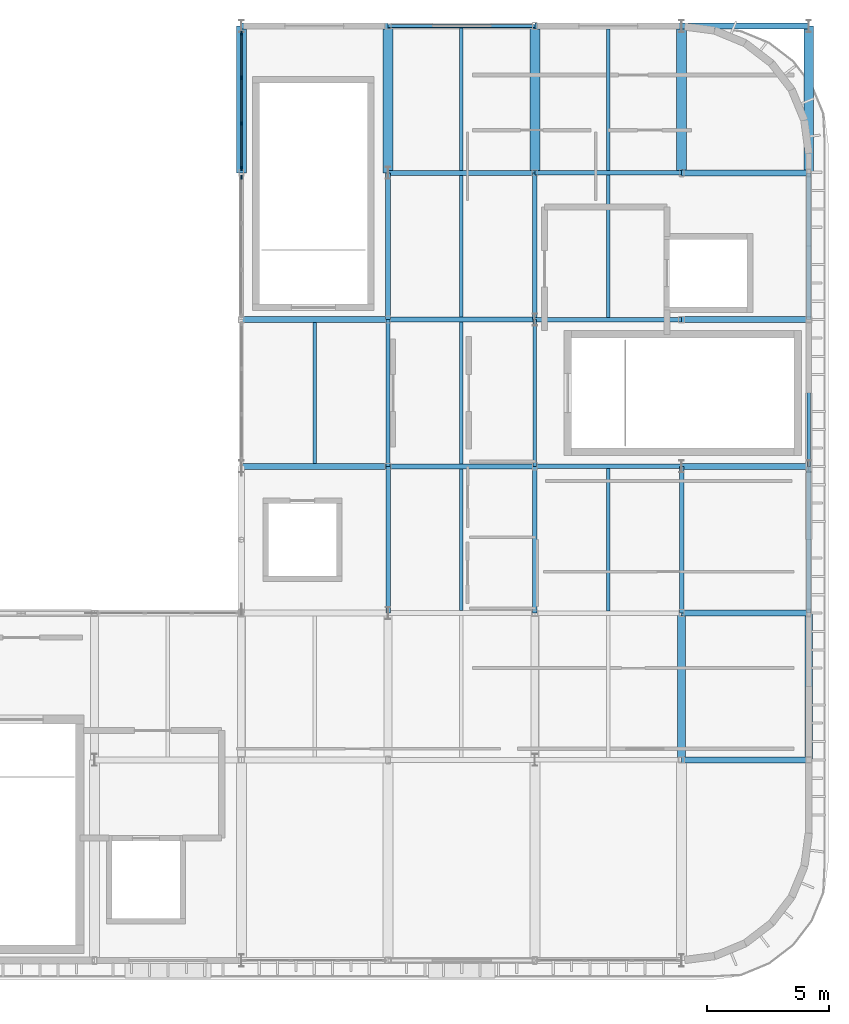
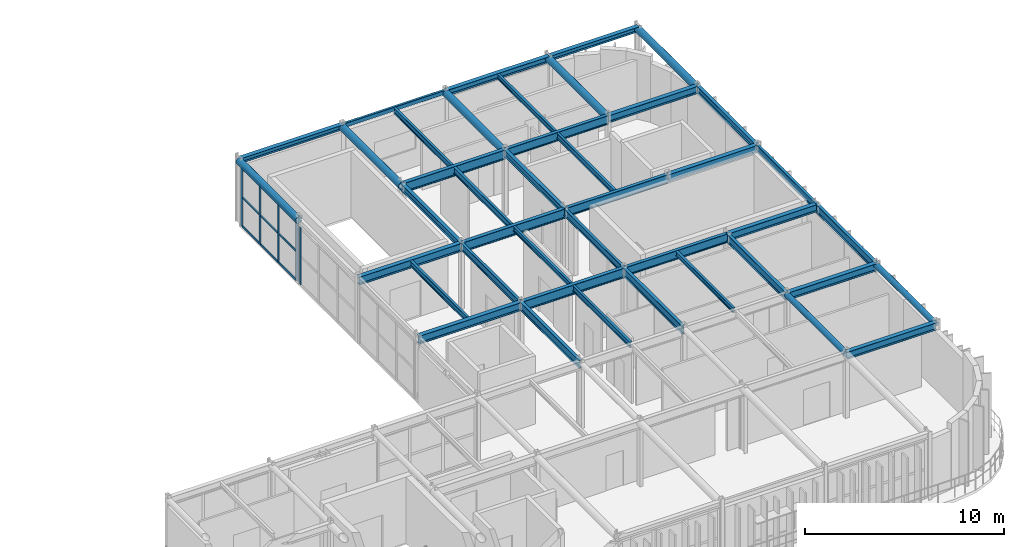
# One storey, part 6 of 14: 42 beams, 14 members, 2 elements without a shape of their own.
"""IFC4 building model written with IfcOpenShell, lengths in metres."""

from ifc_helpers import new_model, si_unit, direction, frame, origin, origin_2d, place, context, subcontext, project, spatial, rectangle, hollow_rectangle, hollow_circle, i_section, extrude, material, material_profile, profile_set, type_object, element, aggregate, save


model = new_model("IFC4")

# Units and contexts
model_context = context("Model", 3, precision=1e-05, world=origin(), true_north=direction((0.0, 1.0)))
body_context = subcontext(model_context, "Body", "Model", "MODEL_VIEW")
ifc_project = project(units=[si_unit("LENGTHUNIT", "METRE"), si_unit("AREAUNIT", "SQUARE_METRE"), si_unit("VOLUMEUNIT", "CUBIC_METRE"), si_unit("PLANEANGLEUNIT", "RADIAN"), si_unit("MASSUNIT", "GRAM", prefix="KILO")], contexts=[model_context])

# Site, building, storey
site_placement = place(None, origin())
site = spatial("IfcSite", under=ifc_project, at=site_placement, CompositionType="ELEMENT")
building_placement = place(site_placement, origin())
building = spatial("IfcBuilding", under=site, at=building_placement, Name="Varnakota Square Police Headquarters", CompositionType="ELEMENT")
storey_placement = place(building_placement, frame((0.0, 0.0, 30.0)))
storey = spatial("IfcBuildingStorey", under=building, at=storey_placement, Name="L07", CompositionType="ELEMENT", Elevation=30.0)

# Beams
ifc_material_1 = material(Name="Steel IS 2062 Grade 350", Category="steel")
ifc_material_profile_1 = material_profile(ifc_material_1, hollow_circle(Radius=0.161865234375, WallThickness=0.0126953125, at=origin_2d()), Name="CHS 323.9x12.7")
ifc_profile_set_1 = profile_set([ifc_material_profile_1], Name="Steel IS 2062 Grade 350")
beam_type_1 = type_object("IfcBeamType", Name="BM-ARC-CHS324", PredefinedType="BEAM", material=ifc_profile_set_1)
for number, where, z_axis, x_axis, name in (
    (1, (156.0, 9.0, 3.878173828125), (0.0, 1.0, 0.0), (-1.0, 0.0, 0.0), "BMG-L07-3446"),
    (2, (161.199951171875, 9.0, 3.878173828125), (0.0, 1.0, 0.0), (-1.0, 0.0, 0.0), "BMG-L07-3449"),
):
    element("IfcBeam", number, at=place(storey_placement, frame(where, z_axis=z_axis, x_axis=x_axis)), inside=storey, type_object=beam_type_1, Name=name, PredefinedType="BEAM", context=body_context, shape_type="SweptSolid", body=[
        extrude(hollow_circle(Radius=0.161865234375, WallThickness=0.0126953125, at=origin_2d()), origin(), (0.0, 0.0, 1.0), 6.0),
    ])
ifc_material_profile_2 = material_profile(ifc_material_1, hollow_circle(Radius=0.203125, WallThickness=0.01611328125, at=origin_2d()), Name="CHS 406.4x16.0")
ifc_profile_set_2 = profile_set([ifc_material_profile_2], Name="Steel IS 2062 Grade 350")
beam_type_2 = type_object("IfcBeamType", Name="BM-ARC-CHS406", PredefinedType="BEAM", material=ifc_profile_set_2)
for number, where, z_axis, x_axis, name in (
    (3, (138.0, 33.0, 3.8369140625), (0.0, 1.0, 0.0), (-1.0, 0.0, 0.0), "BMG-L07-3432"),
    (4, (144.0, 33.0, 3.8369140625), (0.0, 1.0, 0.0), (-1.0, 0.0, 0.0), "BMG-L07-3438"),
    (5, (150.0, 33.0, 3.8369140625), (0.0, 1.0, 0.0), (-1.0, 0.0, 0.0), "BMG-L07-3444"),
    (6, (156.0, 33.0, 3.8369140625), (0.0, 1.0, 0.0), (-1.0, 0.0, 0.0), "BMG-L07-3448"),
    (7, (161.199951171875, 33.0, 3.8369140625), (0.0, 1.0, 0.0), (-1.0, 0.0, 0.0), "BMG-L07-3453"),
):
    element("IfcBeam", number, at=place(storey_placement, frame(where, z_axis=z_axis, x_axis=x_axis)), inside=storey, type_object=beam_type_2, Name=name, PredefinedType="BEAM", context=body_context, shape_type="SweptSolid", body=[
        extrude(hollow_circle(Radius=0.203125, WallThickness=0.01611328125, at=origin_2d()), origin(), (0.0, 0.0, 1.0), 6.0),
    ])
ifc_material_profile_3 = material_profile(ifc_material_1, hollow_rectangle(XDim=0.14990234375, YDim=0.25, WallThickness=0.010009765625, InnerFilletRadius=0.010009765625, OuterFilletRadius=0.02001953125, at=origin_2d()), Name="RHS 250x150x10")
ifc_profile_set_3 = profile_set([ifc_material_profile_3], Name="Steel IS 2062 Grade 350")
beam_type_3 = type_object("IfcBeamType", Name="BM-CBEAM-RHS250", PredefinedType="BEAM", material=ifc_profile_set_3)
beam_1_placement = place(storey_placement, frame((144.0, 39.0, 3.9150390625), z_axis=(1.0, 0.0, 0.0), x_axis=(0.0, 1.0, 0.0)))
element("IfcBeam", 8, at=beam_1_placement, inside=storey, type_object=beam_type_3, Name="BMG-L07-3418", PredefinedType="BEAM", context=body_context, shape_type="SweptSolid", body=[
    extrude(hollow_rectangle(XDim=0.14990234375, YDim=0.25, WallThickness=0.010009765625, InnerFilletRadius=0.010009765625, OuterFilletRadius=0.02001953125, at=origin_2d()), origin(), (0.0, 0.0, 1.0), 6.0),
])
ifc_material_profile_4 = material_profile(ifc_material_1, i_section(OverallWidth=0.25, OverallDepth=0.300048828125, WebThickness=0.009521484375, FlangeThickness=0.010498046875, FilletRadius=0.011962890625, at=origin_2d()), Name="ISHB 300")
ifc_profile_set_4 = profile_set([ifc_material_profile_4], Name="Steel IS 2062 Grade 350")
beam_type_4 = type_object("IfcBeamType", Name="BM-ISHB300", PredefinedType="BEAM", material=ifc_profile_set_4)
beam_2_placement = place(storey_placement, frame((138.0, 39.0, 3.889892578125), z_axis=(1.0, 0.0, 0.0), x_axis=(0.0, 1.0, 0.0)))
element("IfcBeam", 9, at=beam_2_placement, inside=storey, type_object=beam_type_4, Name="BMG-L07-3417", PredefinedType="BEAM", context=body_context, shape_type="SweptSolid", body=[
    extrude(i_section(OverallWidth=0.25, OverallDepth=0.300048828125, WebThickness=0.009521484375, FlangeThickness=0.010498046875, FilletRadius=0.011962890625, at=origin_2d()), origin(), (0.0, 0.0, 1.0), 6.0),
])
beam_3_placement = place(storey_placement, frame((156.0, 39.0, 3.889892578125), z_axis=(1.0, 0.0, 0.0), x_axis=(0.0, 1.0, 0.0)))
element("IfcBeam", 10, at=beam_3_placement, inside=storey, type_object=beam_type_4, Name="BMG-L07-3420", PredefinedType="BEAM", context=body_context, shape_type="SweptSolid", body=[
    extrude(i_section(OverallWidth=0.25, OverallDepth=0.300048828125, WebThickness=0.009521484375, FlangeThickness=0.010498046875, FilletRadius=0.011962890625, at=origin_2d()), origin(), (0.0, 0.0, 1.0), 5.199951171875),
])
ifc_material_profile_5 = material_profile(ifc_material_1, i_section(OverallWidth=0.25, OverallDepth=0.35009765625, WebThickness=0.010009765625, FlangeThickness=0.01171875, FilletRadius=0.011962890625, at=origin_2d()), Name="ISHB 350")
ifc_profile_set_5 = profile_set([ifc_material_profile_5], Name="Steel IS 2062 Grade 350")
beam_type_5 = type_object("IfcBeamType", Name="BM-ISHB350", PredefinedType="BEAM", material=ifc_profile_set_5)
beam_4_placement = place(storey_placement, frame((150.0, 39.0, 3.864990234375), z_axis=(1.0, 0.0, 0.0), x_axis=(0.0, 1.0, 0.0)))
element("IfcBeam", 11, at=beam_4_placement, inside=storey, type_object=beam_type_5, Name="BMG-L07-3419", PredefinedType="BEAM", context=body_context, shape_type="SweptSolid", body=[
    extrude(i_section(OverallWidth=0.25, OverallDepth=0.35009765625, WebThickness=0.010009765625, FlangeThickness=0.01171875, FilletRadius=0.011962890625, at=origin_2d()), origin(), (0.0, 0.0, 1.0), 6.0),
])
ifc_material_profile_6 = material_profile(ifc_material_1, i_section(OverallWidth=0.25, OverallDepth=0.449951171875, WebThickness=0.01123046875, FlangeThickness=0.013671875, FilletRadius=0.014892578125, at=origin_2d()), Name="ISHB 450")
ifc_profile_set_6 = profile_set([ifc_material_profile_6], Name="Steel IS 2062 Grade 350")
beam_type_6 = type_object("IfcBeamType", Name="BM-ISHB450", PredefinedType="BEAM", material=ifc_profile_set_6)
for number, where, z_axis, x_axis, name in (
    (12, (156.0, 9.0, 3.81494140625), (1.0, 0.0, 0.0), (0.0, 1.0, 0.0), "BMG-L07-3398"),
    (13, (156.0, 15.0, 3.81494140625), (1.0, 0.0, 0.0), (0.0, 1.0, 0.0), "BMG-L07-3405"),
    (14, (156.0, 21.0, 3.81494140625), (1.0, 0.0, 0.0), (0.0, 1.0, 0.0), "BMG-L07-3409"),
    (15, (156.0, 27.0, 3.81494140625), (1.0, 0.0, 0.0), (0.0, 1.0, 0.0), "BMG-L07-3413"),
    (16, (156.0, 33.0, 3.81494140625), (1.0, 0.0, 0.0), (0.0, 1.0, 0.0), "BMG-L07-3416"),
):
    element("IfcBeam", number, at=place(storey_placement, frame(where, z_axis=z_axis, x_axis=x_axis)), inside=storey, type_object=beam_type_6, Name=name, PredefinedType="BEAM", context=body_context, shape_type="SweptSolid", body=[
        extrude(i_section(OverallWidth=0.25, OverallDepth=0.449951171875, WebThickness=0.01123046875, FlangeThickness=0.013671875, FilletRadius=0.014892578125, at=origin_2d()), origin(), (0.0, 0.0, 1.0), 5.199951171875),
    ])
ifc_material_profile_7 = material_profile(ifc_material_1, i_section(OverallWidth=0.139892578125, OverallDepth=0.300048828125, WebThickness=0.0078125, FlangeThickness=0.01318359375, FilletRadius=0.013916015625, at=origin_2d()), Name="ISMB 300")
ifc_profile_set_7 = profile_set([ifc_material_profile_7], Name="Steel IS 2062 Grade 350")
beam_type_7 = type_object("IfcBeamType", Name="BM-ISMB300", PredefinedType="JOIST", material=ifc_profile_set_7)
beam_5_placement = place(storey_placement, frame((147.0, 21.10302734375, 3.889892578125), z_axis=(0.0, 1.0, 0.0), x_axis=(-1.0, 0.0, 0.0)))
element("IfcBeam", 17, at=beam_5_placement, inside=storey, type_object=beam_type_7, Name="BMG-L07-3460", PredefinedType="JOIST", context=body_context, shape_type="SweptSolid", body=[
    extrude(i_section(OverallWidth=0.139892578125, OverallDepth=0.300048828125, WebThickness=0.0078125, FlangeThickness=0.01318359375, FilletRadius=0.013916015625, at=origin_2d()), origin(), (0.0, 0.0, 1.0), 5.7939453125),
])
beam_6_placement = place(storey_placement, frame((153.0, 15.093017578125, 3.889892578125), z_axis=(0.0, 1.0, 0.0), x_axis=(-1.0, 0.0, 0.0)))
element("IfcBeam", 18, at=beam_6_placement, inside=storey, type_object=beam_type_7, Name="BMG-L07-3464", PredefinedType="JOIST", context=body_context, shape_type="SweptSolid", body=[
    extrude(i_section(OverallWidth=0.139892578125, OverallDepth=0.300048828125, WebThickness=0.0078125, FlangeThickness=0.01318359375, FilletRadius=0.013916015625, at=origin_2d()), origin(), (0.0, 0.0, 1.0), 5.81396484375),
])
beam_7_placement = place(storey_placement, frame((153.0, 33.093017578125, 3.889892578125), z_axis=(0.0, 1.0, 0.0), x_axis=(-1.0, 0.0, 0.0)))
element("IfcBeam", 19, at=beam_7_placement, inside=storey, type_object=beam_type_7, Name="BMG-L07-3466", PredefinedType="JOIST", context=body_context, shape_type="SweptSolid", body=[
    extrude(i_section(OverallWidth=0.139892578125, OverallDepth=0.300048828125, WebThickness=0.0078125, FlangeThickness=0.01318359375, FilletRadius=0.013916015625, at=origin_2d()), origin(), (0.0, 0.0, 1.0), 5.783935546875),
])
ifc_material_profile_8 = material_profile(ifc_material_1, i_section(OverallWidth=0.139892578125, OverallDepth=0.35009765625, WebThickness=0.008056640625, FlangeThickness=0.01416015625, FilletRadius=0.013916015625, at=origin_2d()), Name="ISMB 350")
ifc_profile_set_8 = profile_set([ifc_material_profile_8], Name="Steel IS 2062 Grade 350")
beam_type_8 = type_object("IfcBeamType", Name="BM-ISMB350", PredefinedType="JOIST", material=ifc_profile_set_8)
beam_8_placement = place(storey_placement, frame((141.0, 21.123046875, 3.864990234375), z_axis=(0.0, 1.0, 0.0), x_axis=(-1.0, 0.0, 0.0)))
element("IfcBeam", 20, at=beam_8_placement, inside=storey, type_object=beam_type_8, Name="BMG-L07-3457", PredefinedType="JOIST", context=body_context, shape_type="SweptSolid", body=[
    extrude(i_section(OverallWidth=0.139892578125, OverallDepth=0.35009765625, WebThickness=0.008056640625, FlangeThickness=0.01416015625, FilletRadius=0.013916015625, at=origin_2d()), origin(), (0.0, 0.0, 1.0), 5.75390625),
])
beam_9_placement = place(storey_placement, frame((147.0, 15.10302734375, 3.864990234375), z_axis=(0.0, 1.0, 0.0), x_axis=(-1.0, 0.0, 0.0)))
element("IfcBeam", 21, at=beam_9_placement, inside=storey, type_object=beam_type_8, Name="BMG-L07-3459", PredefinedType="JOIST", context=body_context, shape_type="SweptSolid", body=[
    extrude(i_section(OverallWidth=0.139892578125, OverallDepth=0.35009765625, WebThickness=0.008056640625, FlangeThickness=0.01416015625, FilletRadius=0.013916015625, at=origin_2d()), origin(), (0.0, 0.0, 1.0), 5.7939453125),
])
beam_10_placement = place(storey_placement, frame((147.0, 33.10302734375, 3.864990234375), z_axis=(0.0, 1.0, 0.0), x_axis=(-1.0, 0.0, 0.0)))
element("IfcBeam", 22, at=beam_10_placement, inside=storey, type_object=beam_type_8, Name="BMG-L07-3462", PredefinedType="JOIST", context=body_context, shape_type="SweptSolid", body=[
    extrude(i_section(OverallWidth=0.139892578125, OverallDepth=0.35009765625, WebThickness=0.008056640625, FlangeThickness=0.01416015625, FilletRadius=0.013916015625, at=origin_2d()), origin(), (0.0, 0.0, 1.0), 5.823974609375),
])
beam_11_placement = place(storey_placement, frame((153.0, 27.093017578125, 3.864990234375), z_axis=(0.0, 1.0, 0.0), x_axis=(-1.0, 0.0, 0.0)))
element("IfcBeam", 23, at=beam_11_placement, inside=storey, type_object=beam_type_8, Name="BMG-L07-3465", PredefinedType="JOIST", context=body_context, shape_type="SweptSolid", body=[
    extrude(i_section(OverallWidth=0.139892578125, OverallDepth=0.35009765625, WebThickness=0.008056640625, FlangeThickness=0.01416015625, FilletRadius=0.013916015625, at=origin_2d()), origin(), (0.0, 0.0, 1.0), 5.81396484375),
])
ifc_material_profile_9 = material_profile(ifc_material_1, i_section(OverallWidth=0.139892578125, OverallDepth=0.39990234375, WebThickness=0.0087890625, FlangeThickness=0.01611328125, FilletRadius=0.013916015625, at=origin_2d()), Name="ISMB 400")
ifc_profile_set_9 = profile_set([ifc_material_profile_9], Name="Steel IS 2062 Grade 350")
beam_type_9 = type_object("IfcBeamType", Name="BM-ISMB400", PredefinedType="JOIST", material=ifc_profile_set_9)
beam_12_placement = place(storey_placement, frame((147.0, 27.10302734375, 3.840087890625), z_axis=(0.0, 1.0, 0.0), x_axis=(-1.0, 0.0, 0.0)))
element("IfcBeam", 24, at=beam_12_placement, inside=storey, type_object=beam_type_9, Name="BMG-L07-3461", PredefinedType="JOIST", context=body_context, shape_type="SweptSolid", body=[
    extrude(i_section(OverallWidth=0.139892578125, OverallDepth=0.39990234375, WebThickness=0.0087890625, FlangeThickness=0.01611328125, FilletRadius=0.013916015625, at=origin_2d()), origin(), (0.0, 0.0, 1.0), 5.7939453125),
])
ifc_material_profile_10 = material_profile(ifc_material_1, i_section(OverallWidth=0.14990234375, OverallDepth=0.449951171875, WebThickness=0.009521484375, FlangeThickness=0.017333984375, FilletRadius=0.014892578125, at=origin_2d()), Name="ISMB 450")
ifc_profile_set_10 = profile_set([ifc_material_profile_10], Name="Steel IS 2062 Grade 350")
beam_type_10 = type_object("IfcBeamType", Name="BM-ISMB450", PredefinedType="BEAM", material=ifc_profile_set_10)
for number, where, z_axis, x_axis, name in (
    (25, (144.0, 21.0, 3.81494140625), (0.0, 1.0, 0.0), (-1.0, 0.0, 0.0), "BMG-L07-3436"),
    (26, (150.0, 21.0, 3.81494140625), (0.0, 1.0, 0.0), (-1.0, 0.0, 0.0), "BMG-L07-3442"),
    (27, (161.199951171875, 21.0, 3.81494140625), (0.0, 1.0, 0.0), (-1.0, 0.0, 0.0), "BMG-L07-3451"),
):
    element("IfcBeam", number, at=place(storey_placement, frame(where, z_axis=z_axis, x_axis=x_axis)), inside=storey, type_object=beam_type_10, Name=name, PredefinedType="BEAM", context=body_context, shape_type="SweptSolid", body=[
        extrude(i_section(OverallWidth=0.14990234375, OverallDepth=0.449951171875, WebThickness=0.009521484375, FlangeThickness=0.017333984375, FilletRadius=0.014892578125, at=origin_2d()), origin(), (0.0, 0.0, 1.0), 6.0),
    ])
ifc_material_profile_11 = material_profile(ifc_material_1, i_section(OverallWidth=0.179931640625, OverallDepth=0.5, WebThickness=0.01025390625, FlangeThickness=0.01708984375, FilletRadius=0.01708984375, at=origin_2d()), Name="ISMB 500")
ifc_profile_set_11 = profile_set([ifc_material_profile_11], Name="Steel IS 2062 Grade 350")
beam_type_11 = type_object("IfcBeamType", Name="BM-ISMB500", PredefinedType="BEAM", material=ifc_profile_set_11)
for number, where, z_axis, x_axis, name in (
    (28, (144.0, 15.0, 3.7900390625), (0.0, 1.0, 0.0), (-1.0, 0.0, 0.0), "BMG-L07-3435"),
    (29, (150.0, 15.0, 3.7900390625), (0.0, 1.0, 0.0), (-1.0, 0.0, 0.0), "BMG-L07-3441"),
    (30, (156.0, 15.0, 3.7900390625), (0.0, 1.0, 0.0), (-1.0, 0.0, 0.0), "BMG-L07-3447"),
    (31, (161.199951171875, 15.0, 3.7900390625), (0.0, 1.0, 0.0), (-1.0, 0.0, 0.0), "BMG-L07-3450"),
):
    element("IfcBeam", number, at=place(storey_placement, frame(where, z_axis=z_axis, x_axis=x_axis)), inside=storey, type_object=beam_type_11, Name=name, PredefinedType="BEAM", context=body_context, shape_type="SweptSolid", body=[
        extrude(i_section(OverallWidth=0.179931640625, OverallDepth=0.5, WebThickness=0.01025390625, FlangeThickness=0.01708984375, FilletRadius=0.01708984375, at=origin_2d()), origin(), (0.0, 0.0, 1.0), 6.0),
    ])
ifc_material_profile_12 = material_profile(ifc_material_1, i_section(OverallWidth=0.18994140625, OverallDepth=0.550048828125, WebThickness=0.01123046875, FlangeThickness=0.019287109375, FilletRadius=0.01806640625, at=origin_2d()), Name="ISMB 550")
ifc_profile_set_12 = profile_set([ifc_material_profile_12], Name="Steel IS 2062 Grade 350")
beam_type_12 = type_object("IfcBeamType", Name="BM-ISMB550", PredefinedType="BEAM", material=ifc_profile_set_12)
for number, where, z_axis, x_axis, name in (
    (32, (150.0, 21.0, 3.764892578125), (1.0, 0.0, 0.0), (0.0, 1.0, 0.0), "BMG-L07-3408"),
    (33, (150.0, 27.0, 3.764892578125), (1.0, 0.0, 0.0), (0.0, 1.0, 0.0), "BMG-L07-3412"),
    (34, (150.0, 33.0, 3.764892578125), (1.0, 0.0, 0.0), (0.0, 1.0, 0.0), "BMG-L07-3415"),
):
    element("IfcBeam", number, at=place(storey_placement, frame(where, z_axis=z_axis, x_axis=x_axis)), inside=storey, type_object=beam_type_12, Name=name, PredefinedType="BEAM", context=body_context, shape_type="SweptSolid", body=[
        extrude(i_section(OverallWidth=0.18994140625, OverallDepth=0.550048828125, WebThickness=0.01123046875, FlangeThickness=0.019287109375, FilletRadius=0.01806640625, at=origin_2d()), origin(), (0.0, 0.0, 1.0), 6.0),
    ])
ifc_material_profile_13 = material_profile(ifc_material_1, i_section(OverallWidth=0.2099609375, OverallDepth=0.60009765625, WebThickness=0.011962890625, FlangeThickness=0.020751953125, FilletRadius=0.02001953125, at=origin_2d()), Name="ISMB 600")
ifc_profile_set_13 = profile_set([ifc_material_profile_13], Name="Steel IS 2062 Grade 350")
beam_type_13 = type_object("IfcBeamType", Name="BM-ISMB600", PredefinedType="BEAM", material=ifc_profile_set_13)
for number, where, z_axis, x_axis, name in (
    (35, (144.0, 21.0, 3.739990234375), (1.0, 0.0, 0.0), (0.0, 1.0, 0.0), "BMG-L07-3407"),
    (36, (144.0, 27.0, 3.739990234375), (1.0, 0.0, 0.0), (0.0, 1.0, 0.0), "BMG-L07-3411"),
    (37, (144.0, 33.0, 3.739990234375), (1.0, 0.0, 0.0), (0.0, 1.0, 0.0), "BMG-L07-3414"),
):
    element("IfcBeam", number, at=place(storey_placement, frame(where, z_axis=z_axis, x_axis=x_axis)), inside=storey, type_object=beam_type_13, Name=name, PredefinedType="BEAM", context=body_context, shape_type="SweptSolid", body=[
        extrude(i_section(OverallWidth=0.2099609375, OverallDepth=0.60009765625, WebThickness=0.011962890625, FlangeThickness=0.020751953125, FilletRadius=0.02001953125, at=origin_2d()), origin(), (0.0, 0.0, 1.0), 6.0),
    ])
ifc_material_profile_14 = material_profile(ifc_material_1, i_section(OverallWidth=0.199951171875, OverallDepth=0.39990234375, WebThickness=0.008544921875, FlangeThickness=0.012939453125, FilletRadius=0.012939453125, at=origin_2d()), Name="ISWB 400")
ifc_profile_set_14 = profile_set([ifc_material_profile_14], Name="Steel IS 2062 Grade 350")
beam_type_14 = type_object("IfcBeamType", Name="BM-ISWB400", PredefinedType="BEAM", material=ifc_profile_set_14)
for number, where, z_axis, x_axis, name in (
    (38, (144.0, 27.0, 3.840087890625), (0.0, 1.0, 0.0), (-1.0, 0.0, 0.0), "BMG-L07-3437"),
    (39, (150.0, 27.0, 3.840087890625), (0.0, 1.0, 0.0), (-1.0, 0.0, 0.0), "BMG-L07-3443"),
    (40, (161.199951171875, 27.0, 3.840087890625), (0.0, 1.0, 0.0), (-1.0, 0.0, 0.0), "BMG-L07-3452"),
):
    element("IfcBeam", number, at=place(storey_placement, frame(where, z_axis=z_axis, x_axis=x_axis)), inside=storey, type_object=beam_type_14, Name=name, PredefinedType="BEAM", context=body_context, shape_type="SweptSolid", body=[
        extrude(i_section(OverallWidth=0.199951171875, OverallDepth=0.39990234375, WebThickness=0.008544921875, FlangeThickness=0.012939453125, FilletRadius=0.012939453125, at=origin_2d()), origin(), (0.0, 0.0, 1.0), 6.0),
    ])
ifc_material_profile_15 = material_profile(ifc_material_1, i_section(OverallWidth=0.25, OverallDepth=0.5, WebThickness=0.010009765625, FlangeThickness=0.0146484375, FilletRadius=0.014892578125, at=origin_2d()), Name="ISWB 500")
ifc_profile_set_15 = profile_set([ifc_material_profile_15], Name="Steel IS 2062 Grade 350")
beam_type_15 = type_object("IfcBeamType", Name="BM-ISWB500", PredefinedType="BEAM", material=ifc_profile_set_15)
for number, where, z_axis, x_axis, name in (
    (41, (138.0, 21.0, 3.7900390625), (1.0, 0.0, 0.0), (0.0, 1.0, 0.0), "BMG-L07-3406"),
    (42, (138.0, 27.0, 3.7900390625), (1.0, 0.0, 0.0), (0.0, 1.0, 0.0), "BMG-L07-3410"),
):
    element("IfcBeam", number, at=place(storey_placement, frame(where, z_axis=z_axis, x_axis=x_axis)), inside=storey, type_object=beam_type_15, Name=name, PredefinedType="BEAM", context=body_context, shape_type="SweptSolid", body=[
        extrude(i_section(OverallWidth=0.25, OverallDepth=0.5, WebThickness=0.010009765625, FlangeThickness=0.0146484375, FilletRadius=0.014892578125, at=origin_2d()), origin(), (0.0, 0.0, 1.0), 6.0),
    ])

# Curtain wall, member
ifc_material_2 = material(Name="Anodised Aluminium Framing", Category="aluminium")
curtain_wall_type = type_object("IfcCurtainWallType", Name="CW-SYS-E", PredefinedType="NOTDEFINED", material=ifc_material_2)
curtain_wall_1_placement = place(storey_placement, origin())
curtain_wall_1 = element("IfcCurtainWall", 43, at=curtain_wall_1_placement, inside=storey, type_object=curtain_wall_type, Name="Unitised curtain wall CWG-L07-125", PredefinedType="NOTDEFINED")
ifc_material_3 = material(Name="Anodised Aluminium 6063-T6", Category="aluminium")
ifc_material_profile_16 = material_profile(ifc_material_3, rectangle(XDim=0.06494140625, YDim=0.159912109375, at=origin_2d()), Name="ALU MULLION 65x160")
ifc_profile_set_16 = profile_set([ifc_material_profile_16], Name="Anodised Aluminium 6063-T6")
member_type_1 = type_object("IfcMemberType", Name="CWM-150", PredefinedType="MULLION", material=ifc_profile_set_16)
member_1_placement = place(storey_placement, frame((138.0, 32.8125, 0.0), z_axis=(0.0, 0.0, 1.0), x_axis=(-1.0, 0.0, 0.0)))
member_1 = element("IfcMember", 44, at=member_1_placement, type_object=member_type_1, Name="CWG-L07-125 mullion 4", PredefinedType="MULLION", context=body_context, shape_type="SweptSolid", body=[
    extrude(rectangle(XDim=0.06494140625, YDim=0.159912109375, at=origin_2d()), origin(), (0.0, 0.0, 1.0), 3.530029296875),
])
aggregate(curtain_wall_1, [member_1])

# Curtain wall, members
curtain_wall_2_placement = place(storey_placement, origin())
curtain_wall_2 = element("IfcCurtainWall", 45, at=curtain_wall_2_placement, inside=storey, type_object=curtain_wall_type, Name="Unitised curtain wall CWG-L07-126", PredefinedType="NOTDEFINED")
member_2_placement = place(storey_placement, frame((138.0, 33.1875, 0.0), z_axis=(0.0, 0.0, 1.0), x_axis=(-1.0, 0.0, 0.0)))
member_2 = element("IfcMember", 46, at=member_2_placement, type_object=member_type_1, Name="CWG-L07-126 mullion 1", PredefinedType="MULLION", context=body_context, shape_type="SweptSolid", body=[
    extrude(rectangle(XDim=0.06494140625, YDim=0.159912109375, at=origin_2d()), origin(), (0.0, 0.0, 1.0), 3.62353515625),
])
member_3_placement = place(storey_placement, frame((138.0, 35.018310546875, 0.0), z_axis=(0.0, 0.0, 1.0), x_axis=(-1.0, 0.0, 0.0)))
member_3 = element("IfcMember", 47, at=member_3_placement, type_object=member_type_1, Name="CWG-L07-126 mullion 2", PredefinedType="MULLION", context=body_context, shape_type="SweptSolid", body=[
    extrude(rectangle(XDim=0.06494140625, YDim=0.159912109375, at=origin_2d()), origin(), (0.0, 0.0, 1.0), 3.62353515625),
])
member_4_placement = place(storey_placement, frame((138.0, 36.881591796875, 0.0), z_axis=(0.0, 0.0, 1.0), x_axis=(-1.0, 0.0, 0.0)))
member_4 = element("IfcMember", 48, at=member_4_placement, type_object=member_type_1, Name="CWG-L07-126 mullion 3", PredefinedType="MULLION", context=body_context, shape_type="SweptSolid", body=[
    extrude(rectangle(XDim=0.06494140625, YDim=0.159912109375, at=origin_2d()), origin(), (0.0, 0.0, 1.0), 3.62353515625),
])
member_5_placement = place(storey_placement, frame((138.0, 38.71240234375, 0.0), z_axis=(0.0, 0.0, 1.0), x_axis=(-1.0, 0.0, 0.0)))
member_5 = element("IfcMember", 49, at=member_5_placement, type_object=member_type_1, Name="CWG-L07-126 mullion 4", PredefinedType="MULLION", context=body_context, shape_type="SweptSolid", body=[
    extrude(rectangle(XDim=0.06494140625, YDim=0.159912109375, at=origin_2d()), origin(), (0.0, 0.0, 1.0), 3.62353515625),
])
ifc_material_profile_17 = material_profile(ifc_material_3, rectangle(XDim=0.06494140625, YDim=0.1298828125, at=origin_2d()), Name="ALU TRANSOM 65x130")
ifc_profile_set_17 = profile_set([ifc_material_profile_17], Name="Anodised Aluminium 6063-T6")
member_type_2 = type_object("IfcMemberType", Name="CWT-120", PredefinedType="USERDEFINED", material=ifc_profile_set_17)
member_6_placement = place(storey_placement, frame((138.0, 33.219970703125, 0.032470703125), z_axis=(0.0, 1.0, 0.0), x_axis=(-1.0, 0.0, 0.0)))
member_6 = element("IfcMember", 50, at=member_6_placement, type_object=member_type_2, Name="CWG-L07-126 transom 1.1", ObjectType="TRANSOM", PredefinedType="USERDEFINED", context=body_context, shape_type="SweptSolid", body=[
    extrude(rectangle(XDim=0.06494140625, YDim=0.1298828125, at=origin_2d()), origin(), (0.0, 0.0, 1.0), 1.765869140625),
])
member_7_placement = place(storey_placement, frame((138.0, 33.219970703125, 1.811767578125), z_axis=(0.0, 1.0, 0.0), x_axis=(-1.0, 0.0, 0.0)))
member_7 = element("IfcMember", 51, at=member_7_placement, type_object=member_type_2, Name="CWG-L07-126 transom 1.2", ObjectType="TRANSOM", PredefinedType="USERDEFINED", context=body_context, shape_type="SweptSolid", body=[
    extrude(rectangle(XDim=0.06494140625, YDim=0.1298828125, at=origin_2d()), origin(), (0.0, 0.0, 1.0), 1.765869140625),
])
member_8_placement = place(storey_placement, frame((138.0, 33.219970703125, 3.591064453125), z_axis=(0.0, 1.0, 0.0), x_axis=(-1.0, 0.0, 0.0)))
member_8 = element("IfcMember", 52, at=member_8_placement, type_object=member_type_2, Name="CWG-L07-126 transom 1.3", ObjectType="TRANSOM", PredefinedType="USERDEFINED", context=body_context, shape_type="SweptSolid", body=[
    extrude(rectangle(XDim=0.06494140625, YDim=0.1298828125, at=origin_2d()), origin(), (0.0, 0.0, 1.0), 1.765869140625),
])
member_9_placement = place(storey_placement, frame((138.0, 35.05078125, 0.032470703125), z_axis=(0.0, 1.0, 0.0), x_axis=(-1.0, 0.0, 0.0)))
member_9 = element("IfcMember", 53, at=member_9_placement, type_object=member_type_2, Name="CWG-L07-126 transom 2.1", ObjectType="TRANSOM", PredefinedType="USERDEFINED", context=body_context, shape_type="SweptSolid", body=[
    extrude(rectangle(XDim=0.06494140625, YDim=0.1298828125, at=origin_2d()), origin(), (0.0, 0.0, 1.0), 1.79833984375),
])
member_10_placement = place(storey_placement, frame((138.0, 35.05078125, 1.811767578125), z_axis=(0.0, 1.0, 0.0), x_axis=(-1.0, 0.0, 0.0)))
member_10 = element("IfcMember", 54, at=member_10_placement, type_object=member_type_2, Name="CWG-L07-126 transom 2.2", ObjectType="TRANSOM", PredefinedType="USERDEFINED", context=body_context, shape_type="SweptSolid", body=[
    extrude(rectangle(XDim=0.06494140625, YDim=0.1298828125, at=origin_2d()), origin(), (0.0, 0.0, 1.0), 1.79833984375),
])
member_11_placement = place(storey_placement, frame((138.0, 35.05078125, 3.591064453125), z_axis=(0.0, 1.0, 0.0), x_axis=(-1.0, 0.0, 0.0)))
member_11 = element("IfcMember", 55, at=member_11_placement, type_object=member_type_2, Name="CWG-L07-126 transom 2.3", ObjectType="TRANSOM", PredefinedType="USERDEFINED", context=body_context, shape_type="SweptSolid", body=[
    extrude(rectangle(XDim=0.06494140625, YDim=0.1298828125, at=origin_2d()), origin(), (0.0, 0.0, 1.0), 1.79833984375),
])
member_12_placement = place(storey_placement, frame((138.0, 36.9140625, 0.032470703125), z_axis=(0.0, 1.0, 0.0), x_axis=(-1.0, 0.0, 0.0)))
member_12 = element("IfcMember", 56, at=member_12_placement, type_object=member_type_2, Name="CWG-L07-126 transom 3.1", ObjectType="TRANSOM", PredefinedType="USERDEFINED", context=body_context, shape_type="SweptSolid", body=[
    extrude(rectangle(XDim=0.06494140625, YDim=0.1298828125, at=origin_2d()), origin(), (0.0, 0.0, 1.0), 1.765869140625),
])
member_13_placement = place(storey_placement, frame((138.0, 36.9140625, 1.811767578125), z_axis=(0.0, 1.0, 0.0), x_axis=(-1.0, 0.0, 0.0)))
member_13 = element("IfcMember", 57, at=member_13_placement, type_object=member_type_2, Name="CWG-L07-126 transom 3.2", ObjectType="TRANSOM", PredefinedType="USERDEFINED", context=body_context, shape_type="SweptSolid", body=[
    extrude(rectangle(XDim=0.06494140625, YDim=0.1298828125, at=origin_2d()), origin(), (0.0, 0.0, 1.0), 1.765869140625),
])
member_14_placement = place(storey_placement, frame((138.0, 36.9140625, 3.591064453125), z_axis=(0.0, 1.0, 0.0), x_axis=(-1.0, 0.0, 0.0)))
member_14 = element("IfcMember", 58, at=member_14_placement, type_object=member_type_2, Name="CWG-L07-126 transom 3.3", ObjectType="TRANSOM", PredefinedType="USERDEFINED", context=body_context, shape_type="SweptSolid", body=[
    extrude(rectangle(XDim=0.06494140625, YDim=0.1298828125, at=origin_2d()), origin(), (0.0, 0.0, 1.0), 1.765869140625),
])
aggregate(curtain_wall_2, [member_2, member_3, member_4, member_5, member_6, member_7, member_8, member_9, member_10, member_11, member_12, member_13, member_14])

save(model, "model.ifc")
